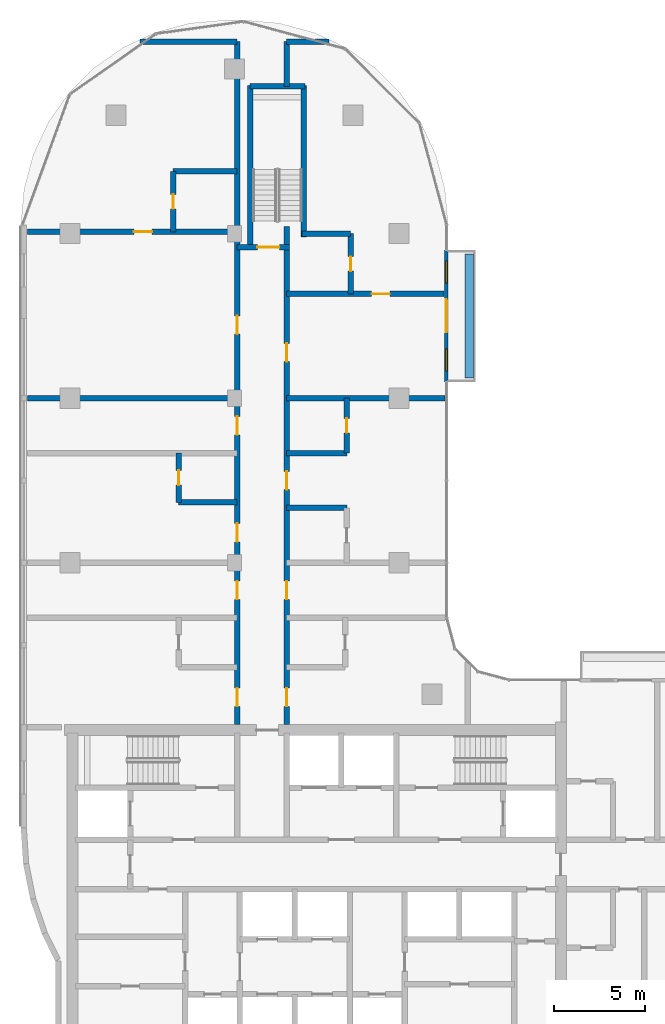
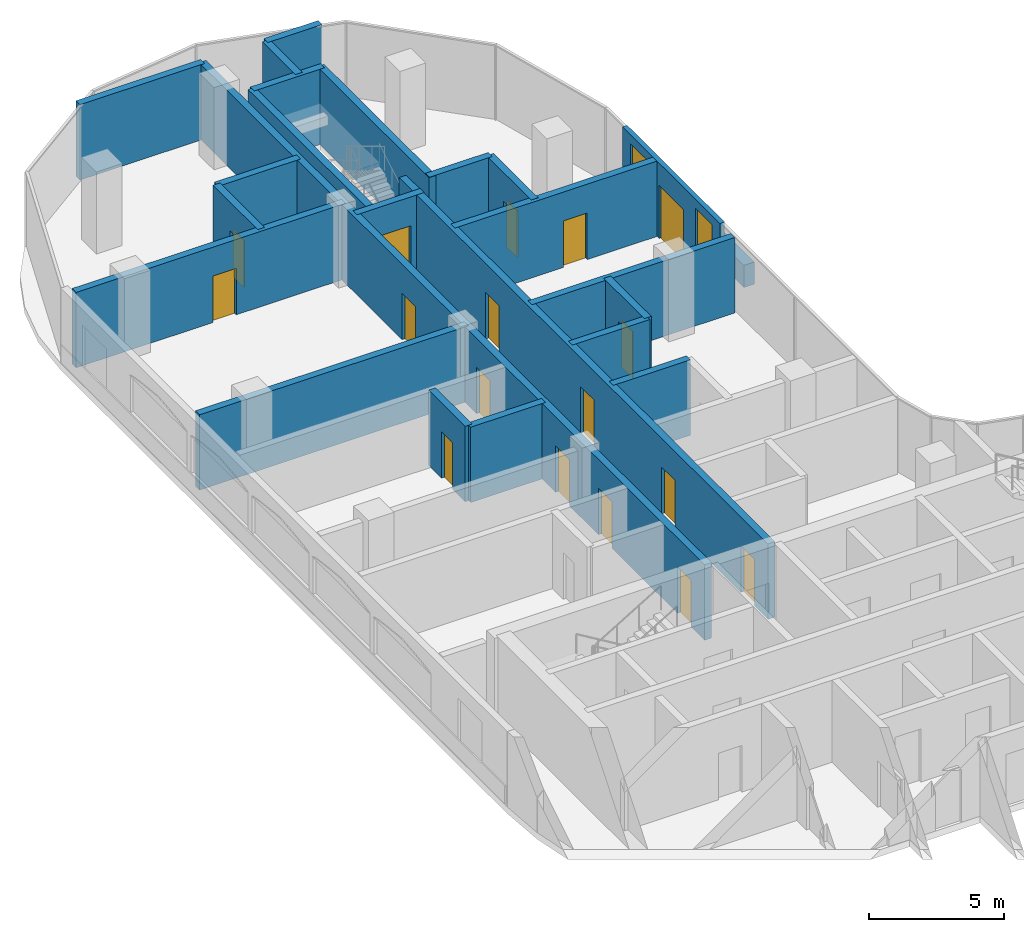
# One storey, part 13 of 25: 24 walls, 17 doors, 2 windows, 19 openings.
"""IFC4 building model written with IfcOpenShell, lengths in metres."""

from ifc_helpers import new_model, si_unit, direction, frame, frame_2d, origin, origin_2d, place, context, subcontext, project, spatial, rectangle, extrude, material, layer, layer_set, type_object, element, fill, save


model = new_model("IFC4")

# Units and contexts
model_context = context("Model", 3, precision=1e-05, world=origin(), true_north=direction((0.0, 1.0)))
body_context = subcontext(model_context, "Body", "Model", "MODEL_VIEW")
ifc_project = project(units=[si_unit("LENGTHUNIT", "METRE"), si_unit("AREAUNIT", "SQUARE_METRE"), si_unit("VOLUMEUNIT", "CUBIC_METRE"), si_unit("PLANEANGLEUNIT", "RADIAN"), si_unit("MASSUNIT", "GRAM", prefix="KILO")], contexts=[model_context])

# Site, building, storey
site_placement = place(None, origin())
site = spatial("IfcSite", under=ifc_project, at=site_placement, CompositionType="ELEMENT")
building_placement = place(site_placement, origin())
building = spatial("IfcBuilding", under=site, at=building_placement, Name="Ogive Portal Towers", CompositionType="ELEMENT")
storey_placement = place(building_placement, frame((0.0, 0.0, 182.89990234375)))
storey = spatial("IfcBuildingStorey", under=building, at=storey_placement, Name="L45", CompositionType="ELEMENT", Elevation=182.89990234375)

# Wall, openings, door, windows
ifc_material_1 = material(Name="Limestone cladding on lightweight block wall", Category="masonry")
ifc_layer_1 = layer(ifc_material_1, 0.199951171875)
ifc_layer_set_1 = layer_set([ifc_layer_1], Name="BALCONY BAY WALL 200")
wall_type_1 = type_object("IfcWallType", Name="BALCONY BAY WALL 200", PredefinedType="SOLIDWALL", material=ifc_layer_set_1)
wall_1_placement = place(storey_placement, frame((52.080078125, 65.60009765625, 0.0), z_axis=(0.0, 0.0, 1.0), x_axis=(0.0, -1.0, 0.0)))
wall_1 = element("IfcWall", 1, at=wall_1_placement, inside=storey, type_object=wall_type_1, Name="A:L45:f20:bay0", PredefinedType="SOLIDWALL", context=body_context, shape_type="SweptSolid", body=[
    extrude(rectangle(XDim=7.2001953125, YDim=0.199951171875, at=frame_2d((3.60009765625, 0.0))), origin(), (0.0, 0.0, 1.0), 3.400146484375),
])
opening_1_placement = place(wall_1_placement, frame((2.699951171875, 0.0, 0.0)))
opening_1 = element("IfcOpeningElement", 2, at=opening_1_placement, cuts=wall_1, Name="Opening DX045", PredefinedType="OPENING", context=body_context, shape_type="SweptSolid", body=[
    extrude(rectangle(XDim=1.800048828125, YDim=2.39990234375, at=frame_2d((0.89990234375, 1.199951171875))), frame((0.0, 0.10986328125, 0.0), z_axis=(0.0, -1.0, 0.0), x_axis=(1.0, 0.0, 0.0)), (0.0, 0.0, 1.0), 0.219970703125),
])
opening_2_placement = place(wall_1_placement, frame((5.39990234375, 0.0, 0.89990234375)))
opening_2 = element("IfcOpeningElement", 3, at=opening_2_placement, cuts=wall_1, Name="Opening WN2", PredefinedType="OPENING", context=body_context, shape_type="SweptSolid", body=[
    extrude(rectangle(XDim=1.199951171875, YDim=2.10009765625, at=frame_2d((0.60009765625, 1.050048828125))), frame((0.0, 0.10986328125, 0.0), z_axis=(0.0, -1.0, 0.0), x_axis=(1.0, 0.0, 0.0)), (0.0, 0.0, 1.0), 0.219970703125),
])
opening_3_placement = place(wall_1_placement, frame((0.60009765625, 0.0, 0.89990234375)))
opening_3 = element("IfcOpeningElement", 4, at=opening_3_placement, cuts=wall_1, Name="Opening WN2", PredefinedType="OPENING", context=body_context, shape_type="SweptSolid", body=[
    extrude(rectangle(XDim=1.199951171875, YDim=2.10009765625, at=frame_2d((0.60009765625, 1.050048828125))), frame((0.0, 0.10986328125, 0.0), z_axis=(0.0, -1.0, 0.0), x_axis=(1.0, 0.0, 0.0)), (0.0, 0.0, 1.0), 0.219970703125),
])
ifc_material_2 = material(Name="Aluminium 6063 anodised", Category="aluminium")
door_type_1 = type_object("IfcDoorType", Name="BALCONY DOOR 1800x2400", OperationType="DOUBLE_DOOR_SINGLE_SWING", PredefinedType="DOOR", material=ifc_material_2)
door_1_placement = place(opening_1_placement, origin())
door_1 = element("IfcDoor", 5, at=door_1_placement, inside=storey, type_object=door_type_1, Name="A:L45:f20:bay0/o0", OperationType="SINGLE_SWING_LEFT", OverallHeight=2.39990234375, OverallWidth=1.800048828125, PredefinedType="DOOR", context=body_context, shape_type="SweptSolid", body=[
    extrude(rectangle(XDim=1.800048828125, YDim=2.39990234375, at=frame_2d((0.89990234375, 1.199951171875))), frame((0.0, 0.02490234375, 0.0), z_axis=(0.0, -1.0, 0.0), x_axis=(1.0, 0.0, 0.0)), (0.0, 0.0, 1.0), 0.050048828125),
])
fill(opening_1, door_1)
ifc_material_3 = material(Name="Glass, clear low-iron insulated glazing", Category="glass")
window_type = type_object("IfcWindowType", Name="WINDOW BALCONY BAY 1200x2100", PartitioningType="SINGLE_PANEL", PredefinedType="WINDOW", material=ifc_material_3)
window_1_placement = place(opening_2_placement, origin())
window_1 = element("IfcWindow", 6, at=window_1_placement, inside=storey, type_object=window_type, Name="A:L45:f20:bay0/o1", OverallHeight=2.10009765625, OverallWidth=1.199951171875, PartitioningType="SINGLE_PANEL", PredefinedType="WINDOW", context=body_context, shape_type="SweptSolid", body=[
    extrude(rectangle(XDim=1.199951171875, YDim=2.10009765625, at=frame_2d((0.60009765625, 1.050048828125))), frame((0.0, 0.030029296875, 0.0), z_axis=(0.0, -1.0, 0.0), x_axis=(1.0, 0.0, 0.0)), (0.0, 0.0, 1.0), 0.06005859375),
])
fill(opening_2, window_1)
window_2_placement = place(opening_3_placement, origin())
window_2 = element("IfcWindow", 7, at=window_2_placement, inside=storey, type_object=window_type, Name="A:L45:f20:bay0/o2", OverallHeight=2.10009765625, OverallWidth=1.199951171875, PartitioningType="SINGLE_PANEL", PredefinedType="WINDOW", context=body_context, shape_type="SweptSolid", body=[
    extrude(rectangle(XDim=1.199951171875, YDim=2.10009765625, at=frame_2d((0.60009765625, 1.050048828125))), frame((0.0, 0.030029296875, 0.0), z_axis=(0.0, -1.0, 0.0), x_axis=(1.0, 0.0, 0.0)), (0.0, 0.0, 1.0), 0.06005859375),
])
fill(opening_3, window_2)

# Wall
ifc_material_4 = material(Name="Concrete C40/50", Category="concrete")
ifc_layer_2 = layer(ifc_material_4, 0.449951171875)
ifc_layer_set_2 = layer_set([ifc_layer_2], Name="PLANTER WALL 450")
wall_type_2 = type_object("IfcWallType", Name="PLANTER WALL 450", PredefinedType="SOLIDWALL", material=ifc_layer_set_2)
wall_2_placement = place(storey_placement, frame((53.3349609375, 62.0, 0.0), z_axis=(0.0, 0.0, 1.0), x_axis=(1.0, 0.0, 0.0)))
element("IfcWall", 8, at=wall_2_placement, inside=storey, type_object=wall_type_2, Name="Planter S2", PredefinedType="SOLIDWALL", context=body_context, shape_type="SweptSolid", body=[
    extrude(rectangle(XDim=0.449951171875, YDim=6.800048828125, at=origin_2d()), origin(), (0.0, 0.0, 1.0), 1.0),
])

# Wall, opening, door
ifc_material_5 = material(Name="Concrete C50/60", Category="concrete")
ifc_layer_3 = layer(ifc_material_5, 0.300048828125)
ifc_layer_set_3 = layer_set([ifc_layer_3], Name="STAIR WALL 300 C50")
wall_type_3 = type_object("IfcWallType", Name="STAIR WALL 300 C50", PredefinedType="SHEAR", material=ifc_layer_set_3)
wall_3_placement = place(storey_placement, frame((40.64990234375, 65.75, 0.0), z_axis=(0.0, 0.0, 1.0), x_axis=(1.0, 0.0, 0.0)))
wall_3 = element("IfcWall", 9, at=wall_3_placement, inside=storey, type_object=wall_type_3, Name="Stair wall ST-A3 L45", PredefinedType="SHEAR", context=body_context, shape_type="SweptSolid", body=[
    extrude(rectangle(XDim=2.8701171875, YDim=0.300048828125, at=frame_2d((1.43505859375, 0.0))), origin(), (0.0, 0.0, 1.0), 3.400146484375),
])
opening_4_placement = place(wall_3_placement, frame((1.10009765625, 0.0, 0.0)))
opening_4 = element("IfcOpeningElement", 10, at=opening_4_placement, cuts=wall_3, Name="Opening D20-065", PredefinedType="OPENING", context=body_context, shape_type="SweptSolid", body=[
    extrude(rectangle(XDim=1.199951171875, YDim=2.10009765625, at=frame_2d((0.60009765625, 1.050048828125))), frame((0.0, 0.16015625, 0.0), z_axis=(0.0, -1.0, 0.0), x_axis=(1.0, 0.0, 0.0)), (0.0, 0.0, 1.0), 0.320068359375),
])
ifc_material_6 = material(Name="Steel fire door", Category="steel")
door_type_2 = type_object("IfcDoorType", Name="DT-STAIR-1200x2100-FD90S", OperationType="SINGLE_SWING_LEFT", PredefinedType="DOOR", material=ifc_material_6)
door_2_placement = place(opening_4_placement, origin())
door_2 = element("IfcDoor", 11, at=door_2_placement, inside=storey, type_object=door_type_2, Name="Door D20-065", OperationType="SINGLE_SWING_RIGHT", OverallHeight=2.10009765625, OverallWidth=1.199951171875, PredefinedType="DOOR", context=body_context, shape_type="SweptSolid", body=[
    extrude(rectangle(XDim=1.199951171875, YDim=2.10009765625, at=frame_2d((0.60009765625, 1.050048828125))), frame((0.0, 0.02490234375, 0.0), z_axis=(0.0, -1.0, 0.0), x_axis=(1.0, 0.0, 0.0)), (0.0, 0.0, 1.0), 0.050048828125),
])
fill(opening_4, door_2)

# Walls
wall_4_placement = place(storey_placement, frame((41.35009765625, 74.550048828125, 0.0), z_axis=(0.0, 0.0, 1.0), x_axis=(1.0, 0.0, 0.0)))
element("IfcWall", 12, at=wall_4_placement, inside=storey, type_object=wall_type_3, Name="Stair wall ST-A3 L45", PredefinedType="SHEAR", context=body_context, shape_type="SweptSolid", body=[
    extrude(rectangle(XDim=3.0, YDim=0.300048828125, at=frame_2d((1.5, 0.0))), origin(), (0.0, 0.0, 1.0), 3.400146484375),
])
wall_5_placement = place(storey_placement, frame((41.35009765625, 65.75, 0.0), z_axis=(0.0, 0.0, 1.0), x_axis=(0.0, 1.0, 0.0)))
element("IfcWall", 13, at=wall_5_placement, inside=storey, type_object=wall_type_3, Name="Stair wall ST-A3 L45", PredefinedType="SHEAR", context=body_context, shape_type="SweptSolid", body=[
    extrude(rectangle(XDim=8.85009765625, YDim=0.300048828125, at=frame_2d((4.425048828125, 0.0))), origin(), (0.0, 0.0, 1.0), 3.400146484375),
])

# Wall, openings, doors
wall_6_placement = place(storey_placement, frame((43.35009765625, 39.64990234375, 0.0), z_axis=(0.0, 0.0, 1.0), x_axis=(0.0, 1.0, 0.0)))
wall_6 = element("IfcWall", 14, at=wall_6_placement, inside=storey, type_object=wall_type_3, Name="Stair wall ST-A3 L45", PredefinedType="SHEAR", context=body_context, shape_type="SweptSolid", body=[
    extrude(rectangle(XDim=27.248046875, YDim=0.300048828125, at=frame_2d((13.6240234375, 0.0))), origin(), (0.0, 0.0, 1.0), 3.400146484375),
])
opening_5_placement = place(wall_6_placement, frame((1.0, 0.0, 0.0)))
opening_5 = element("IfcOpeningElement", 15, at=opening_5_placement, cuts=wall_6, Name="Opening D20-044", PredefinedType="OPENING", context=body_context, shape_type="SweptSolid", body=[
    extrude(rectangle(XDim=1.0, YDim=2.10009765625, at=frame_2d((0.5, 1.050048828125))), frame((0.0, 0.16015625, 0.0), z_axis=(0.0, -1.0, 0.0), x_axis=(1.0, 0.0, 0.0)), (0.0, 0.0, 1.0), 0.320068359375),
])
opening_6_placement = place(wall_6_placement, frame((6.85009765625, 0.0, 0.0)))
opening_6 = element("IfcOpeningElement", 16, at=opening_6_placement, cuts=wall_6, Name="Opening D20-045", PredefinedType="OPENING", context=body_context, shape_type="SweptSolid", body=[
    extrude(rectangle(XDim=1.0, YDim=2.10009765625, at=frame_2d((0.5, 1.050048828125))), frame((0.0, 0.16015625, 0.0), z_axis=(0.0, -1.0, 0.0), x_axis=(1.0, 0.0, 0.0)), (0.0, 0.0, 1.0), 0.320068359375),
])
opening_7_placement = place(wall_6_placement, frame((12.85009765625, 0.0, 0.0)))
opening_7 = element("IfcOpeningElement", 17, at=opening_7_placement, cuts=wall_6, Name="Opening D20-051", PredefinedType="OPENING", context=body_context, shape_type="SweptSolid", body=[
    extrude(rectangle(XDim=1.0, YDim=2.10009765625, at=frame_2d((0.5, 1.050048828125))), frame((0.0, 0.16015625, 0.0), z_axis=(0.0, -1.0, 0.0), x_axis=(1.0, 0.0, 0.0)), (0.0, 0.0, 1.0), 0.320068359375),
])
opening_8_placement = place(wall_6_placement, frame((19.85009765625, 0.0, 0.0)))
opening_8 = element("IfcOpeningElement", 18, at=opening_8_placement, cuts=wall_6, Name="Opening D20-055", PredefinedType="OPENING", context=body_context, shape_type="SweptSolid", body=[
    extrude(rectangle(XDim=1.0, YDim=2.10009765625, at=frame_2d((0.5, 1.050048828125))), frame((0.0, 0.16015625, 0.0), z_axis=(0.0, -1.0, 0.0), x_axis=(1.0, 0.0, 0.0)), (0.0, 0.0, 1.0), 0.320068359375),
])
door_type_3 = type_object("IfcDoorType", Name="DT-ENTRY-1000x2100-FD90S", OperationType="SINGLE_SWING_LEFT", PredefinedType="DOOR", material=ifc_material_6)
door_3_placement = place(opening_5_placement, origin())
door_3 = element("IfcDoor", 19, at=door_3_placement, inside=storey, type_object=door_type_3, Name="Door D20-044", OperationType="SINGLE_SWING_LEFT", OverallHeight=2.10009765625, OverallWidth=1.0, PredefinedType="DOOR", context=body_context, shape_type="SweptSolid", body=[
    extrude(rectangle(XDim=1.0, YDim=2.10009765625, at=frame_2d((0.5, 1.050048828125))), frame((0.0, 0.02490234375, 0.0), z_axis=(0.0, -1.0, 0.0), x_axis=(1.0, 0.0, 0.0)), (0.0, 0.0, 1.0), 0.050048828125),
])
fill(opening_5, door_3)
door_4_placement = place(opening_6_placement, origin())
door_4 = element("IfcDoor", 20, at=door_4_placement, inside=storey, type_object=door_type_3, Name="Door D20-045", OperationType="SINGLE_SWING_LEFT", OverallHeight=2.10009765625, OverallWidth=1.0, PredefinedType="DOOR", context=body_context, shape_type="SweptSolid", body=[
    extrude(rectangle(XDim=1.0, YDim=2.10009765625, at=frame_2d((0.5, 1.050048828125))), frame((0.0, 0.02490234375, 0.0), z_axis=(0.0, -1.0, 0.0), x_axis=(1.0, 0.0, 0.0)), (0.0, 0.0, 1.0), 0.050048828125),
])
fill(opening_6, door_4)
door_5_placement = place(opening_7_placement, origin())
door_5 = element("IfcDoor", 21, at=door_5_placement, inside=storey, type_object=door_type_3, Name="Door D20-051", OperationType="SINGLE_SWING_LEFT", OverallHeight=2.10009765625, OverallWidth=1.0, PredefinedType="DOOR", context=body_context, shape_type="SweptSolid", body=[
    extrude(rectangle(XDim=1.0, YDim=2.10009765625, at=frame_2d((0.5, 1.050048828125))), frame((0.0, 0.02490234375, 0.0), z_axis=(0.0, -1.0, 0.0), x_axis=(1.0, 0.0, 0.0)), (0.0, 0.0, 1.0), 0.050048828125),
])
fill(opening_7, door_5)
door_6_placement = place(opening_8_placement, origin())
door_6 = element("IfcDoor", 22, at=door_6_placement, inside=storey, type_object=door_type_3, Name="Door D20-055", OperationType="SINGLE_SWING_LEFT", OverallHeight=2.10009765625, OverallWidth=1.0, PredefinedType="DOOR", context=body_context, shape_type="SweptSolid", body=[
    extrude(rectangle(XDim=1.0, YDim=2.10009765625, at=frame_2d((0.5, 1.050048828125))), frame((0.0, 0.02490234375, 0.0), z_axis=(0.0, -1.0, 0.0), x_axis=(1.0, 0.0, 0.0)), (0.0, 0.0, 1.0), 0.050048828125),
])
fill(opening_8, door_6)

# Walls
wall_7_placement = place(storey_placement, frame((44.300048828125, 66.330078125, 0.0), z_axis=(0.0, 0.0, 1.0), x_axis=(0.0, 1.0, 0.0)))
element("IfcWall", 23, at=wall_7_placement, inside=storey, type_object=wall_type_3, Name="Stair wall ST-A3 L45", PredefinedType="SHEAR", context=body_context, shape_type="SweptSolid", body=[
    extrude(rectangle(XDim=8.27001953125, YDim=0.300048828125, at=frame_2d((4.135009765625, 0.0))), origin(), (0.0, 0.0, 1.0), 3.400146484375),
])
ifc_material_7 = material(Name="Gypsum board partition on steel studs", Category="steel")
ifc_layer_4 = layer(ifc_material_7, 0.300048828125)
ifc_layer_set_4 = layer_set([ifc_layer_4], Name="WT-PART-300-EI 60")
wall_type_4 = type_object("IfcWallType", Name="WT-PART-300-EI 60", PredefinedType="PARTITIONING", material=ifc_layer_set_4)
wall_8_placement = place(storey_placement, frame((43.35009765625, 51.5, 0.0), z_axis=(0.0, 0.0, 1.0), x_axis=(1.0, 0.0, 0.0)))
element("IfcWall", 24, at=wall_8_placement, inside=storey, type_object=wall_type_4, Name="Wall L45:w020", PredefinedType="PARTITIONING", context=body_context, shape_type="SweptSolid", body=[
    extrude(rectangle(XDim=3.2998046875, YDim=0.300048828125, at=frame_2d((1.64990234375, 0.0))), origin(), (0.0, 0.0, 1.0), 3.400146484375),
])
wall_9_placement = place(storey_placement, frame((37.449951171875, 51.800048828125, 0.0), z_axis=(0.0, 0.0, 1.0), x_axis=(1.0, 0.0, 0.0)))
element("IfcWall", 25, at=wall_9_placement, inside=storey, type_object=wall_type_4, Name="Wall L45:w021", PredefinedType="PARTITIONING", context=body_context, shape_type="SweptSolid", body=[
    extrude(rectangle(XDim=3.199951171875, YDim=0.300048828125, at=frame_2d((1.60009765625, 0.0))), origin(), (0.0, 0.0, 1.0), 3.400146484375),
])
wall_10_placement = place(storey_placement, frame((43.35009765625, 54.5, 0.0), z_axis=(0.0, 0.0, 1.0), x_axis=(1.0, 0.0, 0.0)))
element("IfcWall", 26, at=wall_10_placement, inside=storey, type_object=wall_type_4, Name="Wall L45:w023", PredefinedType="PARTITIONING", context=body_context, shape_type="SweptSolid", body=[
    extrude(rectangle(XDim=3.2998046875, YDim=0.300048828125, at=frame_2d((1.64990234375, 0.0))), origin(), (0.0, 0.0, 1.0), 3.400146484375),
])
wall_11_placement = place(storey_placement, frame((29.169921875, 57.5, 0.0), z_axis=(0.0, 0.0, 1.0), x_axis=(1.0, 0.0, 0.0)))
element("IfcWall", 27, at=wall_11_placement, inside=storey, type_object=wall_type_4, Name="Wall L45:w024", PredefinedType="PARTITIONING", context=body_context, shape_type="SweptSolid", body=[
    extrude(rectangle(XDim=11.47998046875, YDim=0.300048828125, at=frame_2d((5.739990234375, 0.0))), origin(), (0.0, 0.0, 1.0), 3.400146484375),
])
wall_12_placement = place(storey_placement, frame((43.35009765625, 57.5, 0.0), z_axis=(0.0, 0.0, 1.0), x_axis=(1.0, 0.0, 0.0)))
element("IfcWall", 28, at=wall_12_placement, inside=storey, type_object=wall_type_4, Name="Wall L45:w025", PredefinedType="PARTITIONING", context=body_context, shape_type="SweptSolid", body=[
    extrude(rectangle(XDim=8.659912109375, YDim=0.300048828125, at=frame_2d((4.330078125, 0.0))), origin(), (0.0, 0.0, 1.0), 3.400146484375),
])

# Wall, opening, door
wall_13_placement = place(storey_placement, frame((43.35009765625, 63.199951171875, 0.0), z_axis=(0.0, 0.0, 1.0), x_axis=(1.0, 0.0, 0.0)))
wall_13 = element("IfcWall", 29, at=wall_13_placement, inside=storey, type_object=wall_type_4, Name="Wall L45:w026", PredefinedType="PARTITIONING", context=body_context, shape_type="SweptSolid", body=[
    extrude(rectangle(XDim=8.619873046875, YDim=0.300048828125, at=frame_2d((4.31005859375, 0.0))), origin(), (0.0, 0.0, 1.0), 3.400146484375),
])
opening_9_placement = place(wall_13_placement, frame((4.64990234375, 0.0, 0.0)))
opening_9 = element("IfcOpeningElement", 30, at=opening_9_placement, cuts=wall_13, Name="Opening D20-056", PredefinedType="OPENING", context=body_context, shape_type="SweptSolid", body=[
    extrude(rectangle(XDim=1.0, YDim=2.10009765625, at=frame_2d((0.5, 1.050048828125))), frame((0.0, 0.16015625, 0.0), z_axis=(0.0, -1.0, 0.0), x_axis=(1.0, 0.0, 0.0)), (0.0, 0.0, 1.0), 0.320068359375),
])
door_type_4 = type_object("IfcDoorType", Name="DT-ENTRY-1000x2100-FD60S", OperationType="SINGLE_SWING_LEFT", PredefinedType="DOOR", material=ifc_material_6)
door_7_placement = place(opening_9_placement, origin())
door_7 = element("IfcDoor", 31, at=door_7_placement, inside=storey, type_object=door_type_4, Name="Door D20-056", OperationType="SINGLE_SWING_RIGHT", OverallHeight=2.10009765625, OverallWidth=1.0, PredefinedType="DOOR", context=body_context, shape_type="SweptSolid", body=[
    extrude(rectangle(XDim=1.0, YDim=2.10009765625, at=frame_2d((0.5, 1.050048828125))), frame((0.0, 0.02490234375, 0.0), z_axis=(0.0, -1.0, 0.0), x_axis=(1.0, 0.0, 0.0)), (0.0, 0.0, 1.0), 0.050048828125),
])
fill(opening_9, door_7)

wall_14_placement = place(storey_placement, frame((29.169921875, 66.60009765625, 0.0), z_axis=(0.0, 0.0, 1.0), x_axis=(1.0, 0.0, 0.0)))
wall_14 = element("IfcWall", 32, at=wall_14_placement, inside=storey, type_object=wall_type_4, Name="Wall L45:w029", PredefinedType="PARTITIONING", context=body_context, shape_type="SweptSolid", body=[
    extrude(rectangle(XDim=11.47998046875, YDim=0.300048828125, at=frame_2d((5.739990234375, 0.0))), origin(), (0.0, 0.0, 1.0), 3.400146484375),
])
opening_10_placement = place(wall_14_placement, frame((5.830078125, 0.0, 0.0)))
opening_10 = element("IfcOpeningElement", 33, at=opening_10_placement, cuts=wall_14, Name="Opening D20-059", PredefinedType="OPENING", context=body_context, shape_type="SweptSolid", body=[
    extrude(rectangle(XDim=1.0, YDim=2.10009765625, at=frame_2d((0.5, 1.050048828125))), frame((0.0, 0.16015625, 0.0), z_axis=(0.0, -1.0, 0.0), x_axis=(1.0, 0.0, 0.0)), (0.0, 0.0, 1.0), 0.320068359375),
])
door_8_placement = place(opening_10_placement, origin())
door_8 = element("IfcDoor", 34, at=door_8_placement, inside=storey, type_object=door_type_4, Name="Door D20-059", OperationType="SINGLE_SWING_RIGHT", OverallHeight=2.10009765625, OverallWidth=1.0, PredefinedType="DOOR", context=body_context, shape_type="SweptSolid", body=[
    extrude(rectangle(XDim=1.0, YDim=2.10009765625, at=frame_2d((0.5, 1.050048828125))), frame((0.0, 0.02490234375, 0.0), z_axis=(0.0, -1.0, 0.0), x_axis=(1.0, 0.0, 0.0)), (0.0, 0.0, 1.0), 0.050048828125),
])
fill(opening_10, door_8)

# Walls
wall_15_placement = place(storey_placement, frame((37.14990234375, 69.89990234375, 0.0), z_axis=(0.0, 0.0, 1.0), x_axis=(1.0, 0.0, 0.0)))
element("IfcWall", 35, at=wall_15_placement, inside=storey, type_object=wall_type_4, Name="Wall L45:w030", PredefinedType="PARTITIONING", context=body_context, shape_type="SweptSolid", body=[
    extrude(rectangle(XDim=3.5, YDim=0.300048828125, at=frame_2d((1.75, 0.0))), origin(), (0.0, 0.0, 1.0), 3.400146484375),
])
wall_16_placement = place(storey_placement, frame((35.337890625, 77.0, 0.0), z_axis=(0.0, 0.0, 1.0), x_axis=(1.0, 0.0, 0.0)))
element("IfcWall", 36, at=wall_16_placement, inside=storey, type_object=wall_type_4, Name="Wall L45:w032", PredefinedType="PARTITIONING", context=body_context, shape_type="SweptSolid", body=[
    extrude(rectangle(XDim=5.31201171875, YDim=0.300048828125, at=frame_2d((2.656005859375, 0.0))), origin(), (0.0, 0.0, 1.0), 3.400146484375),
])
wall_17_placement = place(storey_placement, frame((43.35009765625, 77.0, 0.0), z_axis=(0.0, 0.0, 1.0), x_axis=(1.0, 0.0, 0.0)))
element("IfcWall", 37, at=wall_17_placement, inside=storey, type_object=wall_type_4, Name="Wall L45:w033", PredefinedType="PARTITIONING", context=body_context, shape_type="SweptSolid", body=[
    extrude(rectangle(XDim=2.31201171875, YDim=0.300048828125, at=frame_2d((1.156005859375, 0.0))), origin(), (0.0, 0.0, 1.0), 3.400146484375),
])

# Wall, opening, door
wall_18_placement = place(storey_placement, frame((37.14990234375, 66.60009765625, 0.0), z_axis=(0.0, 0.0, 1.0), x_axis=(0.0, 1.0, 0.0)))
wall_18 = element("IfcWall", 38, at=wall_18_placement, inside=storey, type_object=wall_type_4, Name="Wall L45:w034", PredefinedType="PARTITIONING", context=body_context, shape_type="SweptSolid", body=[
    extrude(rectangle(XDim=3.2998046875, YDim=0.300048828125, at=frame_2d((1.64990234375, 0.0))), origin(), (0.0, 0.0, 1.0), 3.400146484375),
])
opening_11_placement = place(wall_18_placement, frame((1.25, 0.0, 0.0)))
opening_11 = element("IfcOpeningElement", 39, at=opening_11_placement, cuts=wall_18, Name="Opening D20-060", PredefinedType="OPENING", context=body_context, shape_type="SweptSolid", body=[
    extrude(rectangle(XDim=0.800048828125, YDim=2.10009765625, at=frame_2d((0.39990234375, 1.050048828125))), frame((0.0, 0.16015625, 0.0), z_axis=(0.0, -1.0, 0.0), x_axis=(1.0, 0.0, 0.0)), (0.0, 0.0, 1.0), 0.320068359375),
])
door_type_5 = type_object("IfcDoorType", Name="DT-BATH-800x2100-FD60S", OperationType="SINGLE_SWING_LEFT", PredefinedType="DOOR", material=ifc_material_6)
door_9_placement = place(opening_11_placement, origin())
door_9 = element("IfcDoor", 40, at=door_9_placement, inside=storey, type_object=door_type_5, Name="Door D20-060", OperationType="SINGLE_SWING_LEFT", OverallHeight=2.10009765625, OverallWidth=0.800048828125, PredefinedType="DOOR", context=body_context, shape_type="SweptSolid", body=[
    extrude(rectangle(XDim=0.800048828125, YDim=2.10009765625, at=frame_2d((0.39990234375, 1.050048828125))), frame((0.0, 0.02490234375, 0.0), z_axis=(0.0, -1.0, 0.0), x_axis=(1.0, 0.0, 0.0)), (0.0, 0.0, 1.0), 0.050048828125),
])
fill(opening_11, door_9)

wall_19_placement = place(storey_placement, frame((37.449951171875, 51.800048828125, 0.0), z_axis=(0.0, 0.0, 1.0), x_axis=(0.0, 1.0, 0.0)))
wall_19 = element("IfcWall", 41, at=wall_19_placement, inside=storey, type_object=wall_type_4, Name="Wall L45:w036", PredefinedType="PARTITIONING", context=body_context, shape_type="SweptSolid", body=[
    extrude(rectangle(XDim=2.699951171875, YDim=0.300048828125, at=frame_2d((1.35009765625, 0.0))), origin(), (0.0, 0.0, 1.0), 3.400146484375),
])
opening_12_placement = place(wall_19_placement, frame((0.949951171875, 0.0, 0.0)))
opening_12 = element("IfcOpeningElement", 42, at=opening_12_placement, cuts=wall_19, Name="Opening D20-052", PredefinedType="OPENING", context=body_context, shape_type="SweptSolid", body=[
    extrude(rectangle(XDim=0.800048828125, YDim=2.10009765625, at=frame_2d((0.39990234375, 1.050048828125))), frame((0.0, 0.16015625, 0.0), z_axis=(0.0, -1.0, 0.0), x_axis=(1.0, 0.0, 0.0)), (0.0, 0.0, 1.0), 0.320068359375),
])
door_10_placement = place(opening_12_placement, origin())
door_10 = element("IfcDoor", 43, at=door_10_placement, inside=storey, type_object=door_type_5, Name="Door D20-052", OperationType="SINGLE_SWING_RIGHT", OverallHeight=2.10009765625, OverallWidth=0.800048828125, PredefinedType="DOOR", context=body_context, shape_type="SweptSolid", body=[
    extrude(rectangle(XDim=0.800048828125, YDim=2.10009765625, at=frame_2d((0.39990234375, 1.050048828125))), frame((0.0, 0.02490234375, 0.0), z_axis=(0.0, -1.0, 0.0), x_axis=(1.0, 0.0, 0.0)), (0.0, 0.0, 1.0), 0.050048828125),
])
fill(opening_12, door_10)

# Wall, openings, doors
wall_20_placement = place(storey_placement, frame((40.64990234375, 39.64990234375, 0.0), z_axis=(0.0, 0.0, 1.0), x_axis=(0.0, 1.0, 0.0)))
wall_20 = element("IfcWall", 44, at=wall_20_placement, inside=storey, type_object=wall_type_4, Name="Wall L45:w037", PredefinedType="PARTITIONING", context=body_context, shape_type="SweptSolid", body=[
    extrude(rectangle(XDim=37.35009765625, YDim=0.300048828125, at=frame_2d((18.675048828125, 0.0))), origin(), (0.0, 0.0, 1.0), 3.400146484375),
])
opening_13_placement = place(wall_20_placement, frame((1.0, 0.0, 0.0)))
opening_13 = element("IfcOpeningElement", 45, at=opening_13_placement, cuts=wall_20, Name="Opening D20-047", PredefinedType="OPENING", context=body_context, shape_type="SweptSolid", body=[
    extrude(rectangle(XDim=1.0, YDim=2.10009765625, at=frame_2d((0.5, 1.050048828125))), frame((0.0, 0.16015625, 0.0), z_axis=(0.0, -1.0, 0.0), x_axis=(1.0, 0.0, 0.0)), (0.0, 0.0, 1.0), 0.320068359375),
])
opening_14_placement = place(wall_20_placement, frame((6.85009765625, 0.0, 0.0)))
opening_14 = element("IfcOpeningElement", 46, at=opening_14_placement, cuts=wall_20, Name="Opening D20-048", PredefinedType="OPENING", context=body_context, shape_type="SweptSolid", body=[
    extrude(rectangle(XDim=1.0, YDim=2.10009765625, at=frame_2d((0.5, 1.050048828125))), frame((0.0, 0.16015625, 0.0), z_axis=(0.0, -1.0, 0.0), x_axis=(1.0, 0.0, 0.0)), (0.0, 0.0, 1.0), 0.320068359375),
])
opening_15_placement = place(wall_20_placement, frame((10.0, 0.0, 0.0)))
opening_15 = element("IfcOpeningElement", 47, at=opening_15_placement, cuts=wall_20, Name="Opening D20-053", PredefinedType="OPENING", context=body_context, shape_type="SweptSolid", body=[
    extrude(rectangle(XDim=1.0, YDim=2.10009765625, at=frame_2d((0.5, 1.050048828125))), frame((0.0, 0.16015625, 0.0), z_axis=(0.0, -1.0, 0.0), x_axis=(1.0, 0.0, 0.0)), (0.0, 0.0, 1.0), 0.320068359375),
])
opening_16_placement = place(wall_20_placement, frame((15.85009765625, 0.0, 0.0)))
opening_16 = element("IfcOpeningElement", 48, at=opening_16_placement, cuts=wall_20, Name="Opening D20-054", PredefinedType="OPENING", context=body_context, shape_type="SweptSolid", body=[
    extrude(rectangle(XDim=1.0, YDim=2.10009765625, at=frame_2d((0.5, 1.050048828125))), frame((0.0, 0.16015625, 0.0), z_axis=(0.0, -1.0, 0.0), x_axis=(1.0, 0.0, 0.0)), (0.0, 0.0, 1.0), 0.320068359375),
])
opening_17_placement = place(wall_20_placement, frame((21.35009765625, 0.0, 0.0)))
opening_17 = element("IfcOpeningElement", 49, at=opening_17_placement, cuts=wall_20, Name="Opening D20-058", PredefinedType="OPENING", context=body_context, shape_type="SweptSolid", body=[
    extrude(rectangle(XDim=1.0, YDim=2.10009765625, at=frame_2d((0.5, 1.050048828125))), frame((0.0, 0.16015625, 0.0), z_axis=(0.0, -1.0, 0.0), x_axis=(1.0, 0.0, 0.0)), (0.0, 0.0, 1.0), 0.320068359375),
])
door_11_placement = place(opening_13_placement, origin())
door_11 = element("IfcDoor", 50, at=door_11_placement, inside=storey, type_object=door_type_4, Name="Door D20-047", OperationType="SINGLE_SWING_LEFT", OverallHeight=2.10009765625, OverallWidth=1.0, PredefinedType="DOOR", context=body_context, shape_type="SweptSolid", body=[
    extrude(rectangle(XDim=1.0, YDim=2.10009765625, at=frame_2d((0.5, 1.050048828125))), frame((0.0, 0.02490234375, 0.0), z_axis=(0.0, -1.0, 0.0), x_axis=(1.0, 0.0, 0.0)), (0.0, 0.0, 1.0), 0.050048828125),
])
fill(opening_13, door_11)
door_12_placement = place(opening_14_placement, origin())
door_12 = element("IfcDoor", 51, at=door_12_placement, inside=storey, type_object=door_type_4, Name="Door D20-048", OperationType="SINGLE_SWING_LEFT", OverallHeight=2.10009765625, OverallWidth=1.0, PredefinedType="DOOR", context=body_context, shape_type="SweptSolid", body=[
    extrude(rectangle(XDim=1.0, YDim=2.10009765625, at=frame_2d((0.5, 1.050048828125))), frame((0.0, 0.02490234375, 0.0), z_axis=(0.0, -1.0, 0.0), x_axis=(1.0, 0.0, 0.0)), (0.0, 0.0, 1.0), 0.050048828125),
])
fill(opening_14, door_12)
door_13_placement = place(opening_15_placement, origin())
door_13 = element("IfcDoor", 52, at=door_13_placement, inside=storey, type_object=door_type_4, Name="Door D20-053", OperationType="SINGLE_SWING_LEFT", OverallHeight=2.10009765625, OverallWidth=1.0, PredefinedType="DOOR", context=body_context, shape_type="SweptSolid", body=[
    extrude(rectangle(XDim=1.0, YDim=2.10009765625, at=frame_2d((0.5, 1.050048828125))), frame((0.0, 0.02490234375, 0.0), z_axis=(0.0, -1.0, 0.0), x_axis=(1.0, 0.0, 0.0)), (0.0, 0.0, 1.0), 0.050048828125),
])
fill(opening_15, door_13)
door_14_placement = place(opening_16_placement, origin())
door_14 = element("IfcDoor", 53, at=door_14_placement, inside=storey, type_object=door_type_4, Name="Door D20-054", OperationType="SINGLE_SWING_LEFT", OverallHeight=2.10009765625, OverallWidth=1.0, PredefinedType="DOOR", context=body_context, shape_type="SweptSolid", body=[
    extrude(rectangle(XDim=1.0, YDim=2.10009765625, at=frame_2d((0.5, 1.050048828125))), frame((0.0, 0.02490234375, 0.0), z_axis=(0.0, -1.0, 0.0), x_axis=(1.0, 0.0, 0.0)), (0.0, 0.0, 1.0), 0.050048828125),
])
fill(opening_16, door_14)
door_15_placement = place(opening_17_placement, origin())
door_15 = element("IfcDoor", 54, at=door_15_placement, inside=storey, type_object=door_type_4, Name="Door D20-058", OperationType="SINGLE_SWING_LEFT", OverallHeight=2.10009765625, OverallWidth=1.0, PredefinedType="DOOR", context=body_context, shape_type="SweptSolid", body=[
    extrude(rectangle(XDim=1.0, YDim=2.10009765625, at=frame_2d((0.5, 1.050048828125))), frame((0.0, 0.02490234375, 0.0), z_axis=(0.0, -1.0, 0.0), x_axis=(1.0, 0.0, 0.0)), (0.0, 0.0, 1.0), 0.050048828125),
])
fill(opening_17, door_15)

# Wall, opening, door
wall_21_placement = place(storey_placement, frame((46.64990234375, 54.5, 0.0), z_axis=(0.0, 0.0, 1.0), x_axis=(0.0, 1.0, 0.0)))
wall_21 = element("IfcWall", 55, at=wall_21_placement, inside=storey, type_object=wall_type_4, Name="Wall L45:w044", PredefinedType="PARTITIONING", context=body_context, shape_type="SweptSolid", body=[
    extrude(rectangle(XDim=3.0, YDim=0.300048828125, at=frame_2d((1.5, 0.0))), origin(), (0.0, 0.0, 1.0), 3.400146484375),
])
opening_18_placement = place(wall_21_placement, frame((1.10009765625, 0.0, 0.0)))
opening_18 = element("IfcOpeningElement", 56, at=opening_18_placement, cuts=wall_21, Name="Opening D20-050", PredefinedType="OPENING", context=body_context, shape_type="SweptSolid", body=[
    extrude(rectangle(XDim=0.800048828125, YDim=2.10009765625, at=frame_2d((0.39990234375, 1.050048828125))), frame((0.0, 0.16015625, 0.0), z_axis=(0.0, -1.0, 0.0), x_axis=(1.0, 0.0, 0.0)), (0.0, 0.0, 1.0), 0.320068359375),
])
door_16_placement = place(opening_18_placement, origin())
door_16 = element("IfcDoor", 57, at=door_16_placement, inside=storey, type_object=door_type_5, Name="Door D20-050", OperationType="SINGLE_SWING_LEFT", OverallHeight=2.10009765625, OverallWidth=0.800048828125, PredefinedType="DOOR", context=body_context, shape_type="SweptSolid", body=[
    extrude(rectangle(XDim=0.800048828125, YDim=2.10009765625, at=frame_2d((0.39990234375, 1.050048828125))), frame((0.0, 0.02490234375, 0.0), z_axis=(0.0, -1.0, 0.0), x_axis=(1.0, 0.0, 0.0)), (0.0, 0.0, 1.0), 0.050048828125),
])
fill(opening_18, door_16)

wall_22_placement = place(storey_placement, frame((46.85009765625, 63.199951171875, 0.0), z_axis=(0.0, 0.0, 1.0), x_axis=(0.0, 1.0, 0.0)))
wall_22 = element("IfcWall", 58, at=wall_22_placement, inside=storey, type_object=wall_type_4, Name="Wall L45:w045", PredefinedType="PARTITIONING", context=body_context, shape_type="SweptSolid", body=[
    extrude(rectangle(XDim=3.300048828125, YDim=0.300048828125, at=frame_2d((1.64990234375, 0.0))), origin(), (0.0, 0.0, 1.0), 3.400146484375),
])
opening_19_placement = place(wall_22_placement, frame((1.25, 0.0, 0.0)))
opening_19 = element("IfcOpeningElement", 59, at=opening_19_placement, cuts=wall_22, Name="Opening D20-057", PredefinedType="OPENING", context=body_context, shape_type="SweptSolid", body=[
    extrude(rectangle(XDim=0.800048828125, YDim=2.10009765625, at=frame_2d((0.39990234375, 1.050048828125))), frame((0.0, 0.16015625, 0.0), z_axis=(0.0, -1.0, 0.0), x_axis=(1.0, 0.0, 0.0)), (0.0, 0.0, 1.0), 0.320068359375),
])
door_17_placement = place(opening_19_placement, origin())
door_17 = element("IfcDoor", 60, at=door_17_placement, inside=storey, type_object=door_type_5, Name="Door D20-057", OperationType="SINGLE_SWING_LEFT", OverallHeight=2.10009765625, OverallWidth=0.800048828125, PredefinedType="DOOR", context=body_context, shape_type="SweptSolid", body=[
    extrude(rectangle(XDim=0.800048828125, YDim=2.10009765625, at=frame_2d((0.39990234375, 1.050048828125))), frame((0.0, 0.02490234375, 0.0), z_axis=(0.0, -1.0, 0.0), x_axis=(1.0, 0.0, 0.0)), (0.0, 0.0, 1.0), 0.050048828125),
])
fill(opening_19, door_17)

# Walls
ifc_layer_5 = layer(ifc_material_4, 0.300048828125)
ifc_layer_set_5 = layer_set([ifc_layer_5], Name="WT-SHAFT-300")
wall_type_5 = type_object("IfcWallType", Name="WT-SHAFT-300", PredefinedType="SOLIDWALL", material=ifc_layer_set_5)
wall_23_placement = place(storey_placement, frame((44.179931640625, 66.5, 0.0), z_axis=(0.0, 0.0, 1.0), x_axis=(1.0, 0.0, 0.0)))
element("IfcWall", 61, at=wall_23_placement, inside=storey, type_object=wall_type_5, Name="Wall L45:w028", PredefinedType="SOLIDWALL", context=body_context, shape_type="SweptSolid", body=[
    extrude(rectangle(XDim=2.670166015625, YDim=0.300048828125, at=frame_2d((1.3349609375, 0.0))), origin(), (0.0, 0.0, 1.0), 3.400146484375),
])
wall_24_placement = place(storey_placement, frame((43.35009765625, 74.550048828125, 0.0), z_axis=(0.0, 0.0, 1.0), x_axis=(0.0, 1.0, 0.0)))
element("IfcWall", 62, at=wall_24_placement, inside=storey, type_object=wall_type_5, Name="Wall L45:w040", PredefinedType="SOLIDWALL", context=body_context, shape_type="SweptSolid", body=[
    extrude(rectangle(XDim=2.449951171875, YDim=0.300048828125, at=frame_2d((1.22509765625, 0.0))), origin(), (0.0, 0.0, 1.0), 3.400146484375),
])

save(model, "model.ifc")
